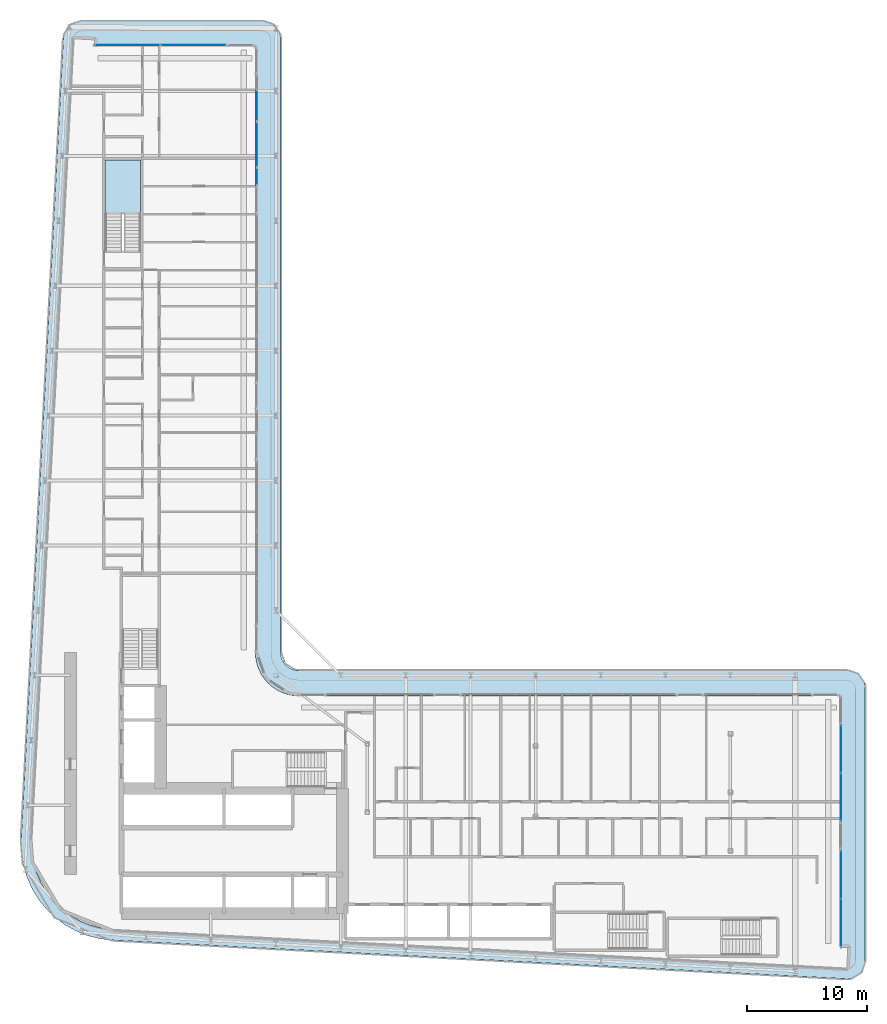
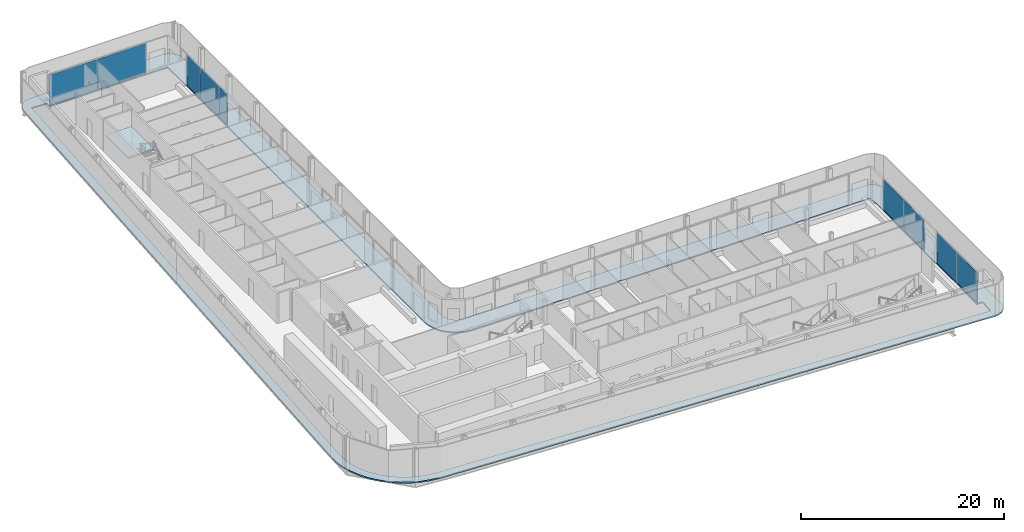
# One storey, part 11 of 28: 9 plates, 2 slabs, 6 elements without a shape of their own.
"""IFC4 building model written with IfcOpenShell, lengths in metres."""

import ifcopenshell
import ifcopenshell.guid

model = None  # the IFC model being written
_history = None  # IfcOwnerHistory: only IFC2X3 demands one
_inside = {}  # id of a spatial element -> (the spatial element, [elements in it])
_under = {}  # id of a project, library or spatial element -> (it, [spatial elements below it])
_declared = {}  # id of a project -> (the project, [libraries it declares])
_typed = {}  # id of a type object -> (the type object, [elements of that type])
_made_of = {}  # id of a material, layer set ... -> (it, [elements and type objects made of it])


def new_model(schema):
    """Start an empty IFC model of exactly this schema.

    Asked for "IFC4X3", IfcOpenShell would pick the latest addendum, in which some entities
    have other attributes; the version numbers below select the first issue.
    IFC2X3 requires an IfcOwnerHistory on every rooted entity: one is made here for all.
    """
    global model, _history
    if schema == "IFC4X3":
        model = ifcopenshell.file(schema_version=(4, 3, 0, 0))
    else:
        model = ifcopenshell.file(schema=schema)
    _inside.clear()
    _under.clear()
    _declared.clear()
    _typed.clear()
    _made_of.clear()
    _history = None
    if model.schema == "IFC2X3":
        org = make("IfcOrganization", Name="unknown")
        user = make(
            "IfcPersonAndOrganization",
            ThePerson=make("IfcPerson", FamilyName="unknown"),
            TheOrganization=org,
        )
        app = make(
            "IfcApplication",
            ApplicationDeveloper=org,
            Version="unknown",
            ApplicationFullName="unknown",
            ApplicationIdentifier="unknown",
        )
        _history = make(
            "IfcOwnerHistory",
            OwningUser=user,
            OwningApplication=app,
            ChangeAction="ADDED",
            CreationDate=0,
        )
    return model


def make(cls, **values):
    """One entity of the class cls with the attributes given. An attribute that is None is left unset."""
    return model.create_entity(
        cls, **{name: value for name, value in values.items() if value is not None}
    )


def rooted(cls, **values):
    """An entity with a GlobalId (a new one), such as an element, a storey or a relation."""
    return make(cls, GlobalId=ifcopenshell.guid.new(), OwnerHistory=_history, **values)


def si_unit(unit_type, name, prefix=None):
    """IfcSIUnit, for example si_unit("LENGTHUNIT", "METRE", prefix="MILLI")."""
    return make("IfcSIUnit", UnitType=unit_type, Prefix=prefix, Name=name)


def assignment(units):
    """IfcUnitAssignment: the units of a project."""
    return None if units is None else make("IfcUnitAssignment", Units=units)


def point(xyz):
    """IfcCartesianPoint."""
    return None if xyz is None else make("IfcCartesianPoint", Coordinates=xyz)


def direction(xyz):
    """IfcDirection."""
    return None if xyz is None else make("IfcDirection", DirectionRatios=xyz)


def frame(location, z_axis=None, x_axis=None):
    """IfcAxis2Placement3D, a coordinate frame: its origin and axes. An axis left out is left unset."""
    return make(
        "IfcAxis2Placement3D",
        Location=point(location),
        Axis=direction(z_axis),
        RefDirection=direction(x_axis),
    )


def frame_2d(location, x_axis=None):
    """IfcAxis2Placement2D, a coordinate frame in the plane: its origin and x axis."""
    return make(
        "IfcAxis2Placement2D", Location=point(location), RefDirection=direction(x_axis)
    )


def origin():
    """The frame at (0, 0, 0) with its axes left unset."""
    return frame((0.0, 0.0, 0.0))


def origin_2d():
    """The frame at (0, 0) in the plane with its x axis left unset."""
    return frame_2d((0.0, 0.0))


def place(relative_to, where):
    """IfcLocalPlacement: puts the frame where relative to a parent placement (None: the world)."""
    return make(
        "IfcLocalPlacement", PlacementRelTo=relative_to, RelativePlacement=where
    )


def context(
    kind, dimensions, precision=None, world=None, true_north=None, identifier=None
):
    """IfcGeometricRepresentationContext, for example the 3D "Model" context."""
    return make(
        "IfcGeometricRepresentationContext",
        ContextIdentifier=identifier,
        ContextType=kind,
        CoordinateSpaceDimension=dimensions,
        Precision=precision,
        WorldCoordinateSystem=world,
        TrueNorth=true_north,
    )


def subcontext(parent, identifier, kind, view, scale=None):
    """IfcGeometricRepresentationSubContext, for example "Body" below "Model"."""
    return make(
        "IfcGeometricRepresentationSubContext",
        ContextIdentifier=identifier,
        ContextType=kind,
        ParentContext=parent,
        TargetScale=scale,
        TargetView=view,
    )


def project(units=None, contexts=None):
    """IfcProject with its units and contexts."""
    return rooted(
        "IfcProject",
        Name="project",
        RepresentationContexts=contexts,
        UnitsInContext=assignment(units),
    )


def spatial(cls, under=None, at=None, **own):
    """A site, building, storey or space (cls), placed at a placement, below another one or the project."""
    s = rooted(cls, ObjectPlacement=at, **own)
    if under is not None:
        _under.setdefault(under.id(), (under, []))[1].append(s)
    return s


def polyline(points):
    """IfcPolyline through the points."""
    return make("IfcPolyline", Points=[point(p) for p in points])


def profile(cls, at=None, kind="AREA", **sizes):
    """A parametric profile (cls). Its sizes go by their IFC names, for example OverallWidth=200.0."""
    return make(cls, ProfileType=kind, Position=at, **sizes)


def rectangle(**sizes):
    """IfcRectangleProfileDef."""
    return profile("IfcRectangleProfileDef", **sizes)


def outline(outer, holes=None, kind="AREA"):
    """IfcArbitraryClosedProfileDef: a profile drawn as a closed curve; with holes, ...WithVoids."""
    if holes is None:
        return make("IfcArbitraryClosedProfileDef", ProfileType=kind, OuterCurve=outer)
    return make(
        "IfcArbitraryProfileDefWithVoids",
        ProfileType=kind,
        OuterCurve=outer,
        InnerCurves=holes,
    )


def extrude(swept, where, along, depth):
    """IfcExtrudedAreaSolid: the profile swept, set in the frame where, extruded along a direction by depth."""
    return make(
        "IfcExtrudedAreaSolid",
        SweptArea=swept,
        Position=where,
        ExtrudedDirection=direction(along),
        Depth=depth,
    )


def shape(context_of_items, identifier, shape_type, items):
    """IfcShapeRepresentation: the items that make up one representation, for example the "Body"."""
    return make(
        "IfcShapeRepresentation",
        ContextOfItems=context_of_items,
        RepresentationIdentifier=identifier,
        RepresentationType=shape_type,
        Items=items,
    )


def material(Name=None, Category=None):
    """IfcMaterial."""
    return make("IfcMaterial", Name=Name, Category=Category)


def layer(
    of_material, thickness, ventilated=None, Name=None, Category=None, Priority=None
):
    """IfcMaterialLayer: one layer of a wall or slab, of a material (None: an air gap)."""
    return make(
        "IfcMaterialLayer",
        Material=of_material,
        LayerThickness=thickness,
        IsVentilated=ventilated,
        Name=Name,
        Category=Category,
        Priority=Priority,
    )


def layer_set(layers, Name=None):
    """IfcMaterialLayerSet."""
    return make("IfcMaterialLayerSet", MaterialLayers=layers, LayerSetName=Name)


def made_of(thing, what):
    """Note that an element or type object is made of a material, layer set ...; save() writes the relation."""
    if what is not None:
        _made_of.setdefault(what.id(), (what, []))[1].append(thing)
    return thing


def type_object(cls, material=None, **own):
    """A type object (cls), such as IfcWallType, which elements share."""
    return made_of(rooted(cls, **own), material)


def element(
    cls,
    number,
    at=None,
    inside=None,
    cuts=None,
    type_object=None,
    material=None,
    context=None,
    identifier="Body",
    shape_type=None,
    held_by="IfcProductDefinitionShape",
    body=None,
    shapes=None,
    **own,
):
    """One element of the class cls, such as IfcWall. Its Tag is "e" and its number.

    at: its placement. inside: the storey or other place that contains it. cuts: it is an
    opening in that element (IfcRelVoidsElement). A single representation is given by context,
    identifier, shape_type and body (its items); several are given by shapes. held_by: the class
    of the entity that holds the representations. save() writes the other relations.
    """
    e = rooted(cls, Tag="e%d" % number, ObjectPlacement=at, **own)
    if body is not None:
        shapes = [shape(context, identifier, shape_type, body)]
    if shapes is not None:
        e.Representation = make(held_by, Representations=shapes)
    if inside is not None:
        _inside.setdefault(inside.id(), (inside, []))[1].append(e)
    if cuts is not None:
        rooted(
            "IfcRelVoidsElement", RelatingBuildingElement=cuts, RelatedOpeningElement=e
        )
    if type_object is not None:
        _typed.setdefault(type_object.id(), (type_object, []))[1].append(e)
    return made_of(e, material)


def aggregate(whole, parts):
    """IfcRelAggregates: a whole, such as a stair, and the parts it consists of."""
    return rooted("IfcRelAggregates", RelatingObject=whole, RelatedObjects=parts)


def save(model, path):
    """Write the relations noted so far, then the file.

    IfcRelAggregates (storeys below a building ...), IfcRelContainedInSpatialStructure (elements
    in a storey), IfcRelDefinesByType, IfcRelAssociatesMaterial and IfcRelDeclares: one each for
    every whole, place, type object, material and project.
    """
    for whole, parts in _under.values():
        aggregate(whole, parts)
    for where, things in _inside.values():
        rooted(
            "IfcRelContainedInSpatialStructure",
            RelatedElements=things,
            RelatingStructure=where,
        )
    for kind, things in _typed.values():
        rooted("IfcRelDefinesByType", RelatedObjects=things, RelatingType=kind)
    for what, things in _made_of.values():
        rooted("IfcRelAssociatesMaterial", RelatedObjects=things, RelatingMaterial=what)
    for by, libraries in _declared.values():
        rooted("IfcRelDeclares", RelatingContext=by, RelatedDefinitions=libraries)
    model.write(path)


model = new_model("IFC4")

# Units and contexts
model_context = context("Model", 3, precision=1e-05, world=origin(), true_north=direction((0.0, 1.0)))
body_context = subcontext(model_context, "Body", "Model", "MODEL_VIEW")
ifc_project = project(units=[si_unit("LENGTHUNIT", "METRE"), si_unit("AREAUNIT", "SQUARE_METRE"), si_unit("VOLUMEUNIT", "CUBIC_METRE"), si_unit("PLANEANGLEUNIT", "RADIAN"), si_unit("MASSUNIT", "GRAM", prefix="KILO")], contexts=[model_context])

# Site, building, storey
site_placement = place(None, origin())
site = spatial("IfcSite", under=ifc_project, at=site_placement, CompositionType="ELEMENT")
building_placement = place(site_placement, origin())
building = spatial("IfcBuilding", under=site, at=building_placement, Name="Kheshtan School and Residences Tower", CompositionType="ELEMENT")
storey_placement = place(building_placement, frame((0.0, 0.0, 42.199951171875)))
storey = spatial("IfcBuildingStorey", under=building, at=storey_placement, Name="L09", CompositionType="ELEMENT", Elevation=42.199951171875)

# Curtain wall, plates
ifc_material_1 = material(Name="Clear low-e glass in thermally broken aluminium frame", Category="aluminium")
ifc_layer_1 = layer(ifc_material_1, 0.199951171875)
ifc_layer_set_1 = layer_set([ifc_layer_1], Name="Curtain wall CW-L")
curtain_wall_type = type_object("IfcCurtainWallType", Name="Curtain wall CW-L", PredefinedType="NOTDEFINED", material=ifc_layer_set_1)
curtain_wall_1_placement = place(storey_placement, origin())
curtain_wall_1 = element("IfcCurtainWall", 1, at=curtain_wall_1_placement, inside=storey, type_object=curtain_wall_type, Name="Curtain wall CWL7", PredefinedType="NOTDEFINED")
ifc_layer_2 = layer(ifc_material_1, 0.031982421875)
ifc_layer_set_2 = layer_set([ifc_layer_2], Name="CW-L glass panel")
plate_type = type_object("IfcPlateType", Name="CW-L glass panel", PredefinedType="CURTAIN_PANEL", material=ifc_layer_set_2)
plate_1_placement = place(storey_placement, frame((35.259033203125, 98.0, 0.0), z_axis=(0.0, 0.0, 1.0), x_axis=(1.0, 0.0, 0.0)))
plate_1 = element("IfcPlate", 2, at=plate_1_placement, type_object=plate_type, Name="CWL7 panel 1.1", PredefinedType="CURTAIN_PANEL", context=body_context, shape_type="SweptSolid", body=[
    extrude(rectangle(XDim=5.4140625, YDim=0.031982421875, at=origin_2d()), origin(), (0.0, 0.0, 1.0), 3.6298828125),
])
plate_2_placement = place(storey_placement, frame((40.73291015625, 98.0, 0.0), z_axis=(0.0, 0.0, 1.0), x_axis=(1.0, 0.0, 0.0)))
plate_2 = element("IfcPlate", 3, at=plate_2_placement, type_object=plate_type, Name="CWL7 panel 2.1", PredefinedType="CURTAIN_PANEL", context=body_context, shape_type="SweptSolid", body=[
    extrude(rectangle(XDim=5.4140625, YDim=0.031982421875, at=origin_2d()), origin(), (0.0, 0.0, 1.0), 3.6298828125),
])
aggregate(curtain_wall_1, [plate_1, plate_2])

curtain_wall_2_placement = place(storey_placement, origin())
curtain_wall_2 = element("IfcCurtainWall", 4, at=curtain_wall_2_placement, inside=storey, type_object=curtain_wall_type, Name="Curtain wall CWL8c", PredefinedType="NOTDEFINED")
plate_3_placement = place(storey_placement, frame((46.0, 92.9765625, 0.0), z_axis=(0.0, 0.0, 1.0), x_axis=(0.0, -1.0, 0.0)))
plate_3 = element("IfcPlate", 5, at=plate_3_placement, type_object=plate_type, Name="CWL8c panel 2.1", PredefinedType="CURTAIN_PANEL", context=body_context, shape_type="SweptSolid", body=[
    extrude(rectangle(XDim=2.5869140625, YDim=0.031982421875, at=origin_2d()), origin(), (0.0, 0.0, 1.0), 3.6298828125),
])
plate_4_placement = place(storey_placement, frame((46.0, 89.744384765625, 0.0), z_axis=(0.0, 0.0, 1.0), x_axis=(0.0, -1.0, 0.0)))
plate_4 = element("IfcPlate", 6, at=plate_4_placement, type_object=plate_type, Name="CWL8c panel 3.1", PredefinedType="CURTAIN_PANEL", context=body_context, shape_type="SweptSolid", body=[
    extrude(rectangle(XDim=3.757080078125, YDim=0.031982421875, at=origin_2d()), origin(), (0.0, 0.0, 1.0), 3.6298828125),
])
aggregate(curtain_wall_2, [plate_3, plate_4])

# Curtain wall, plate
curtain_wall_3_placement = place(storey_placement, origin())
curtain_wall_3 = element("IfcCurtainWall", 7, at=curtain_wall_3_placement, inside=storey, type_object=curtain_wall_type, Name="Curtain wall CWL8a", PredefinedType="NOTDEFINED")
plate_5_placement = place(storey_placement, frame((46.0, 87.0859375, 0.0), z_axis=(0.0, 0.0, 1.0), x_axis=(0.0, -1.0, 0.0)))
plate_5 = element("IfcPlate", 8, at=plate_5_placement, type_object=plate_type, Name="CWL8a panel 1.1", PredefinedType="CURTAIN_PANEL", context=body_context, shape_type="SweptSolid", body=[
    extrude(rectangle(XDim=1.43994140625, YDim=0.031982421875, at=origin_2d()), origin(), (0.0, 0.0, 1.0), 3.6298828125),
])
aggregate(curtain_wall_3, [plate_5])

# Curtain wall, plates
curtain_wall_4_placement = place(storey_placement, origin())
curtain_wall_4 = element("IfcCurtainWall", 9, at=curtain_wall_4_placement, inside=storey, type_object=curtain_wall_type, Name="Curtain wall CWL13a", PredefinedType="NOTDEFINED")
plate_6_placement = place(storey_placement, frame((94.60009765625, 39.47216796875, 0.0), z_axis=(0.0, 0.0, 1.0), x_axis=(0.0, -1.0, 0.0)))
plate_6 = element("IfcPlate", 10, at=plate_6_placement, type_object=plate_type, Name="CWL13a panel 1.1", PredefinedType="CURTAIN_PANEL", context=body_context, shape_type="SweptSolid", body=[
    extrude(rectangle(XDim=3.935546875, YDim=0.031982421875, at=origin_2d()), origin(), (0.0, 0.0, 1.0), 3.6298828125),
])
plate_7_placement = place(storey_placement, frame((94.60009765625, 35.476806640625, 0.0), z_axis=(0.0, 0.0, 1.0), x_axis=(0.0, -1.0, 0.0)))
plate_7 = element("IfcPlate", 11, at=plate_7_placement, type_object=plate_type, Name="CWL13a panel 2.1", PredefinedType="CURTAIN_PANEL", context=body_context, shape_type="SweptSolid", body=[
    extrude(rectangle(XDim=3.935546875, YDim=0.031982421875, at=origin_2d()), origin(), (0.0, 0.0, 1.0), 3.6298828125),
])
aggregate(curtain_wall_4, [plate_6, plate_7])

curtain_wall_5_placement = place(storey_placement, origin())
curtain_wall_5 = element("IfcCurtainWall", 12, at=curtain_wall_5_placement, inside=storey, type_object=curtain_wall_type, Name="Curtain wall CWL13a", PredefinedType="NOTDEFINED")
plate_8_placement = place(storey_placement, frame((94.60009765625, 29.021240234375, 0.0), z_axis=(0.0, 0.0, 1.0), x_axis=(0.0, -1.0, 0.0)))
plate_8 = element("IfcPlate", 13, at=plate_8_placement, type_object=plate_type, Name="CWL13a panel 1.1", PredefinedType="CURTAIN_PANEL", context=body_context, shape_type="SweptSolid", body=[
    extrude(rectangle(XDim=3.935546875, YDim=0.031982421875, at=origin_2d()), origin(), (0.0, 0.0, 1.0), 3.6298828125),
])
plate_9_placement = place(storey_placement, frame((94.60009765625, 25.025634765625, 0.0), z_axis=(0.0, 0.0, 1.0), x_axis=(0.0, -1.0, 0.0)))
plate_9 = element("IfcPlate", 14, at=plate_9_placement, type_object=plate_type, Name="CWL13a panel 2.1", PredefinedType="CURTAIN_PANEL", context=body_context, shape_type="SweptSolid", body=[
    extrude(rectangle(XDim=3.935546875, YDim=0.031982421875, at=origin_2d()), origin(), (0.0, 0.0, 1.0), 3.6298828125),
])
aggregate(curtain_wall_5, [plate_8, plate_9])

# Slab
ifc_material_2 = material(Name="Concrete C40/50", Category="concrete")
ifc_layer_3 = layer(ifc_material_2, 0.14990234375)
ifc_layer_set_3 = layer_set([ifc_layer_3], Name="Loggia balcony slab 150 Concrete C40/50")
slab_type_1 = type_object("IfcSlabType", Name="Loggia balcony slab 150 Concrete C40/50", PredefinedType="FLOOR", material=ifc_layer_set_3)
slab_1_placement = place(storey_placement, frame((0.0, 0.0, -0.14990234375)))
element("IfcSlab", 15, at=slab_1_placement, inside=storey, type_object=slab_type_1, Name="Loggia balcony slab L09", PredefinedType="FLOOR", context=body_context, shape_type="SweptSolid", body=[
    extrude(outline(polyline([(28.4580078125, 26.222900390625), (28.45703125, 26.222900390625), (28.45703125, 26.22412109375), (28.4560546875, 26.22412109375), (27.81494140625, 27.0390625), (27.281005859375, 27.93798828125), (26.867919921875, 28.89990234375), (26.583984375, 29.89990234375), (26.583984375, 29.906982421875), (26.43408203125, 30.943115234375), (26.419921875, 31.989013671875), (29.925048828125, 98.5791015625), (29.930908203125, 98.626953125), (29.930908203125, 98.6279296875), (29.929931640625, 98.6279296875), (29.929931640625, 98.62890625), (29.928955078125, 98.62890625), (29.928955078125, 98.6298828125), (29.927978515625, 98.6298828125), (29.927978515625, 98.631103515625), (29.927001953125, 98.631103515625), (29.927001953125, 98.632080078125), (29.927001953125, 98.633056640625), (29.945068359375, 98.781005859375), (29.945068359375, 98.783935546875), (29.945068359375, 98.784912109375), (29.946044921875, 98.784912109375), (29.946044921875, 98.785888671875), (29.947021484375, 98.785888671875), (29.947021484375, 98.787109375), (29.947998046875, 98.787109375), (29.948974609375, 98.787109375), (29.948974609375, 98.7880859375), (29.949951171875, 98.7880859375), (29.949951171875, 98.7890625), (29.949951171875, 98.791015625), (30.0029296875, 98.98388671875), (30.083984375, 99.175048828125), (30.18896484375, 99.35302734375), (30.31103515625, 99.507080078125), (30.31201171875, 99.507080078125), (30.31201171875, 99.508056640625), (30.31298828125, 99.508056640625), (30.31298828125, 99.509033203125), (30.31396484375, 99.509033203125), (30.31396484375, 99.510009765625), (30.31494140625, 99.510009765625), (30.31494140625, 99.510986328125), (30.31591796875, 99.510986328125), (30.31591796875, 99.511962890625), (30.31689453125, 99.511962890625), (30.31689453125, 99.512939453125), (30.318115234375, 99.512939453125), (30.320068359375, 99.512939453125), (30.321044921875, 99.512939453125), (30.321044921875, 99.513916015625), (30.468017578125, 99.656982421875), (30.468994140625, 99.656982421875), (30.468994140625, 99.657958984375), (30.469970703125, 99.657958984375), (30.469970703125, 99.658935546875), (30.470947265625, 99.658935546875), (30.470947265625, 99.659912109375), (30.471923828125, 99.659912109375), (30.471923828125, 99.660888671875), (30.472900390625, 99.660888671875), (30.472900390625, 99.662109375), (30.47412109375, 99.662109375), (30.47412109375, 99.6630859375), (30.47509765625, 99.6630859375), (30.47509765625, 99.6640625), (30.635986328125, 99.777099609375), (30.820068359375, 99.873046875), (31.007080078125, 99.943115234375), (31.013916015625, 99.943115234375), (31.217041015625, 99.986083984375), (31.423095703125, 100.0), (46.5, 100.0), (46.696044921875, 99.987060546875), (46.887939453125, 99.948974609375), (46.89501953125, 99.948974609375), (47.073974609375, 99.885986328125), (47.242919921875, 99.801025390625), (47.243896484375, 99.801025390625), (47.2470703125, 99.801025390625), (47.248046875, 99.801025390625), (47.248046875, 99.802001953125), (47.2490234375, 99.802001953125), (47.2490234375, 99.802978515625), (47.25, 99.802978515625), (47.2529296875, 99.802978515625), (47.25390625, 99.802978515625), (47.25390625, 99.802001953125), (47.2548828125, 99.802001953125), (47.2548828125, 99.801025390625), (47.256103515625, 99.801025390625), (47.256103515625, 99.800048828125), (47.257080078125, 99.800048828125), (47.257080078125, 99.799072265625), (47.258056640625, 99.799072265625), (47.258056640625, 99.798095703125), (47.412109375, 99.696044921875), (47.4130859375, 99.696044921875), (47.4130859375, 99.695068359375), (47.4140625, 99.695068359375), (47.4140625, 99.694091796875), (47.4140625, 99.68994140625), (47.4140625, 99.68896484375), (47.4150390625, 99.68896484375), (47.4150390625, 99.68798828125), (47.416015625, 99.68798828125), (47.416015625, 99.68701171875), (47.4169921875, 99.68701171875), (47.4169921875, 99.68603515625), (47.554931640625, 99.568115234375), (47.554931640625, 99.56689453125), (47.555908203125, 99.56689453125), (47.555908203125, 99.56591796875), (47.556884765625, 99.56591796875), (47.556884765625, 99.56494140625), (47.55810546875, 99.56494140625), (47.55810546875, 99.56396484375), (47.55908203125, 99.56396484375), (47.55908203125, 99.56298828125), (47.56005859375, 99.56298828125), (47.56005859375, 99.56201171875), (47.56103515625, 99.56201171875), (47.56201171875, 99.56103515625), (47.56201171875, 99.56005859375), (47.56298828125, 99.56005859375), (47.56298828125, 99.55908203125), (47.56396484375, 99.55908203125), (47.56396484375, 99.55810546875), (47.56494140625, 99.55810546875), (47.56494140625, 99.556884765625), (47.56591796875, 99.556884765625), (47.56591796875, 99.555908203125), (47.56689453125, 99.555908203125), (47.56689453125, 99.554931640625), (47.568115234375, 99.554931640625), (47.68505859375, 99.41796875), (47.68603515625, 99.41796875), (47.68603515625, 99.4169921875), (47.68701171875, 99.4169921875), (47.68701171875, 99.416015625), (47.68798828125, 99.416015625), (47.68798828125, 99.4150390625), (47.68896484375, 99.4150390625), (47.68896484375, 99.4140625), (47.68994140625, 99.4140625), (47.694091796875, 99.4140625), (47.695068359375, 99.4140625), (47.695068359375, 99.4130859375), (47.696044921875, 99.4130859375), (47.696044921875, 99.412109375), (47.797119140625, 99.259033203125), (47.798095703125, 99.259033203125), (47.798095703125, 99.258056640625), (47.799072265625, 99.258056640625), (47.799072265625, 99.257080078125), (47.800048828125, 99.257080078125), (47.800048828125, 99.256103515625), (47.801025390625, 99.256103515625), (47.801025390625, 99.2548828125), (47.802001953125, 99.2548828125), (47.802001953125, 99.25390625), (47.802978515625, 99.25390625), (47.802978515625, 99.2529296875), (47.802978515625, 99.25), (47.802978515625, 99.2490234375), (47.802001953125, 99.2490234375), (47.802001953125, 99.248046875), (47.801025390625, 99.248046875), (47.801025390625, 99.2470703125), (47.801025390625, 99.243896484375), (47.801025390625, 99.242919921875), (47.885986328125, 99.073974609375), (47.948974609375, 98.89501953125), (47.948974609375, 98.887939453125), (47.987060546875, 98.696044921875), (48.0, 98.5), (48.0, 47.5), (48.012939453125, 47.303955078125), (48.051025390625, 47.113037109375), (48.051025390625, 47.10693359375), (48.051025390625, 47.10595703125), (48.114013671875, 46.926025390625), (48.200927734375, 46.75), (48.31005859375, 46.5869140625), (48.431884765625, 46.444091796875), (48.43310546875, 46.444091796875), (48.43310546875, 46.443115234375), (48.43408203125, 46.443115234375), (48.43408203125, 46.44189453125), (48.43505859375, 46.44189453125), (48.43505859375, 46.44091796875), (48.43603515625, 46.44091796875), (48.43603515625, 46.43994140625), (48.43701171875, 46.43994140625), (48.43701171875, 46.43896484375), (48.43798828125, 46.43896484375), (48.43896484375, 46.43798828125), (48.43896484375, 46.43701171875), (48.43994140625, 46.43701171875), (48.43994140625, 46.43603515625), (48.44091796875, 46.43603515625), (48.44091796875, 46.43505859375), (48.44189453125, 46.43505859375), (48.44189453125, 46.43408203125), (48.443115234375, 46.43408203125), (48.443115234375, 46.43310546875), (48.444091796875, 46.43310546875), (48.444091796875, 46.431884765625), (48.5869140625, 46.31005859375), (48.75, 46.200927734375), (48.926025390625, 46.114013671875), (49.10595703125, 46.051025390625), (49.10693359375, 46.051025390625), (49.113037109375, 46.051025390625), (49.303955078125, 46.012939453125), (49.5, 46.0), (95.10009765625, 46.0), (95.2958984375, 45.987060546875), (95.488037109375, 45.948974609375), (95.4951171875, 45.948974609375), (95.674072265625, 45.885986328125), (95.842041015625, 45.801025390625), (95.843017578125, 45.801025390625), (95.846923828125, 45.801025390625), (95.847900390625, 45.801025390625), (95.847900390625, 45.802001953125), (95.84912109375, 45.802001953125), (95.84912109375, 45.802978515625), (95.85009765625, 45.802978515625), (95.85302734375, 45.802978515625), (95.85400390625, 45.802978515625), (95.85400390625, 45.802001953125), (95.85498046875, 45.802001953125), (95.85498046875, 45.801025390625), (95.85595703125, 45.801025390625), (95.85595703125, 45.800048828125), (95.85693359375, 45.800048828125), (95.85693359375, 45.799072265625), (95.85791015625, 45.799072265625), (95.85791015625, 45.798095703125), (95.85888671875, 45.798095703125), (95.85888671875, 45.797119140625), (95.860107421875, 45.797119140625), (95.860107421875, 45.7958984375), (96.011962890625, 45.696044921875), (96.012939453125, 45.696044921875), (96.012939453125, 45.695068359375), (96.013916015625, 45.695068359375), (96.013916015625, 45.694091796875), (96.013916015625, 45.68994140625), (96.013916015625, 45.68896484375), (96.014892578125, 45.68896484375), (96.014892578125, 45.68798828125), (96.01611328125, 45.68798828125), (96.01611328125, 45.68701171875), (96.01708984375, 45.68701171875), (96.01708984375, 45.68603515625), (96.01806640625, 45.68603515625), (96.01806640625, 45.68505859375), (96.01904296875, 45.68505859375), (96.01904296875, 45.68408203125), (96.155029296875, 45.568115234375), (96.155029296875, 45.56689453125), (96.156005859375, 45.56689453125), (96.156005859375, 45.56591796875), (96.156982421875, 45.56591796875), (96.156982421875, 45.56494140625), (96.157958984375, 45.56494140625), (96.157958984375, 45.56396484375), (96.158935546875, 45.56396484375), (96.158935546875, 45.56298828125), (96.159912109375, 45.56298828125), (96.159912109375, 45.56201171875), (96.160888671875, 45.56201171875), (96.162109375, 45.56103515625), (96.162109375, 45.56005859375), (96.1630859375, 45.56005859375), (96.1630859375, 45.55908203125), (96.1640625, 45.55908203125), (96.1640625, 45.55810546875), (96.1650390625, 45.55810546875), (96.1650390625, 45.556884765625), (96.166015625, 45.556884765625), (96.166015625, 45.555908203125), (96.1669921875, 45.555908203125), (96.1669921875, 45.554931640625), (96.16796875, 45.554931640625), (96.281982421875, 45.4208984375), (96.282958984375, 45.4208984375), (96.282958984375, 45.419921875), (96.283935546875, 45.419921875), (96.283935546875, 45.4189453125), (96.284912109375, 45.4189453125), (96.284912109375, 45.41796875), (96.285888671875, 45.41796875), (96.285888671875, 45.4169921875), (96.287109375, 45.4169921875), (96.287109375, 45.416015625), (96.2880859375, 45.416015625), (96.2880859375, 45.4150390625), (96.2890625, 45.4150390625), (96.2890625, 45.4140625), (96.2900390625, 45.4140625), (96.2939453125, 45.4140625), (96.294921875, 45.4140625), (96.294921875, 45.4130859375), (96.2958984375, 45.4130859375), (96.2958984375, 45.412109375), (96.39404296875, 45.261962890625), (96.39501953125, 45.261962890625), (96.39501953125, 45.260986328125), (96.39599609375, 45.260986328125), (96.39599609375, 45.260009765625), (96.39697265625, 45.260009765625), (96.39697265625, 45.259033203125), (96.39794921875, 45.259033203125), (96.39794921875, 45.258056640625), (96.39892578125, 45.258056640625), (96.39892578125, 45.257080078125), (96.39990234375, 45.257080078125), (96.39990234375, 45.256103515625), (96.40087890625, 45.256103515625), (96.40087890625, 45.2548828125), (96.402099609375, 45.2548828125), (96.402099609375, 45.25390625), (96.403076171875, 45.25390625), (96.403076171875, 45.2529296875), (96.403076171875, 45.25), (96.403076171875, 45.2490234375), (96.402099609375, 45.2490234375), (96.402099609375, 45.248046875), (96.40087890625, 45.248046875), (96.40087890625, 45.2470703125), (96.40087890625, 45.240966796875), (96.40087890625, 45.239990234375), (96.486083984375, 45.073974609375), (96.549072265625, 44.89501953125), (96.549072265625, 44.887939453125), (96.5869140625, 44.696044921875), (96.60009765625, 44.5), (96.60009765625, 21.864990234375), (96.5859375, 21.6630859375), (96.544921875, 21.464111328125), (96.544921875, 21.45703125), (96.47802734375, 21.27294921875), (96.385986328125, 21.093017578125), (96.27099609375, 20.927001953125), (96.27099609375, 20.926025390625), (96.27099609375, 20.925048828125), (96.27099609375, 20.924072265625), (96.27197265625, 20.924072265625), (96.27197265625, 20.923095703125), (96.27197265625, 20.9208984375), (96.27197265625, 20.919921875), (96.27099609375, 20.919921875), (96.27099609375, 20.9189453125), (96.137939453125, 20.77587890625), (96.135009765625, 20.77294921875), (96.134033203125, 20.77294921875), (96.134033203125, 20.77197265625), (96.133056640625, 20.77197265625), (96.131103515625, 20.77197265625), (96.1298828125, 20.77197265625), (96.1298828125, 20.77294921875), (96.12890625, 20.77294921875), (96.1279296875, 20.77294921875), (96.126953125, 20.77294921875), (95.97607421875, 20.64794921875), (95.803955078125, 20.541015625), (95.618896484375, 20.4580078125), (95.430908203125, 20.40087890625), (95.424072265625, 20.40087890625), (95.22412109375, 20.3701171875), (95.02099609375, 20.366943359375), (33.989013671875, 23.580078125), (33.94189453125, 23.5859375), (33.94091796875, 23.5859375), (33.93994140625, 23.5859375), (33.93994140625, 23.5849609375), (33.93896484375, 23.5849609375), (33.93896484375, 23.583984375), (33.93798828125, 23.583984375), (33.93798828125, 23.5830078125), (33.93701171875, 23.5830078125), (33.93701171875, 23.58203125), (33.93603515625, 23.58203125), (33.93505859375, 23.58203125), (32.952880859375, 23.697998046875), (32.949951171875, 23.697998046875), (32.948974609375, 23.697998046875), (32.948974609375, 23.698974609375), (32.947998046875, 23.698974609375), (32.947998046875, 23.699951171875), (32.947021484375, 23.699951171875), (32.947021484375, 23.700927734375), (32.947021484375, 23.702880859375), (32.947021484375, 23.7041015625), (32.946044921875, 23.7041015625), (32.946044921875, 23.705078125), (32.945068359375, 23.705078125), (32.944091796875, 23.705078125), (31.93603515625, 23.9609375), (31.928955078125, 23.9609375), (30.964111328125, 24.34912109375), (30.051025390625, 24.860107421875), (29.218994140625, 25.47900390625), (29.218994140625, 25.47998046875), (29.218017578125, 25.47998046875), (29.218017578125, 25.48095703125), (29.217041015625, 25.48095703125), (29.217041015625, 25.48193359375), (29.216064453125, 25.48193359375), (29.216064453125, 25.48291015625), (29.215087890625, 25.48291015625), (29.215087890625, 25.48388671875), (29.214111328125, 25.48388671875), (29.214111328125, 25.485107421875), (29.212890625, 25.485107421875), (29.212890625, 25.486083984375), (29.2119140625, 25.486083984375), (28.466064453125, 26.217041015625), (28.466064453125, 26.218017578125), (28.465087890625, 26.218017578125), (28.462890625, 26.218017578125), (28.4619140625, 26.218017578125), (28.4619140625, 26.218994140625), (28.4609375, 26.218994140625), (28.4609375, 26.219970703125), (28.4599609375, 26.219970703125), (28.4599609375, 26.220947265625), (28.458984375, 26.220947265625), (28.458984375, 26.221923828125), (28.4580078125, 26.221923828125), (28.4580078125, 26.222900390625)]), holes=[polyline([(29.12890625, 26.824951171875), (29.12890625, 26.823974609375), (29.1298828125, 26.823974609375), (29.1298828125, 26.822998046875), (29.131103515625, 26.822998046875), (29.131103515625, 26.822021484375), (29.132080078125, 26.822021484375), (29.132080078125, 26.821044921875), (29.133056640625, 26.821044921875), (29.133056640625, 26.820068359375), (29.134033203125, 26.820068359375), (29.794921875, 26.173095703125), (29.794921875, 26.172119140625), (29.7958984375, 26.172119140625), (29.798095703125, 26.172119140625), (29.799072265625, 26.172119140625), (29.799072265625, 26.1708984375), (29.800048828125, 26.1708984375), (29.800048828125, 26.169921875), (29.801025390625, 26.169921875), (29.801025390625, 26.1689453125), (29.802001953125, 26.1689453125), (29.802001953125, 26.16796875), (29.802978515625, 26.16796875), (29.802978515625, 26.1669921875), (29.803955078125, 26.1669921875), (29.803955078125, 26.166015625), (30.541015625, 25.616943359375), (31.35205078125, 25.1630859375), (32.208984375, 24.819091796875), (32.2099609375, 24.819091796875), (32.216064453125, 24.819091796875), (33.114990234375, 24.590087890625), (34.06591796875, 24.47705078125), (95.0380859375, 21.26708984375), (95.06494140625, 21.26806640625), (95.06591796875, 21.26806640625), (95.06689453125, 21.26806640625), (95.06689453125, 21.26904296875), (95.068115234375, 21.26904296875), (95.068115234375, 21.27001953125), (95.068115234375, 21.27099609375), (95.157958984375, 22.9599609375), (95.157958984375, 22.9609375), (95.157958984375, 22.9619140625), (95.156982421875, 22.9619140625), (95.156982421875, 22.962890625), (95.156005859375, 22.962890625), (95.155029296875, 22.962890625), (94.5009765625, 22.998046875), (94.5, 22.998046875), (94.5, 22.9990234375), (94.5, 43.89794921875), (94.5, 43.89892578125), (94.4990234375, 43.89892578125), (94.4990234375, 43.89990234375), (94.498046875, 43.89990234375), (49.429931640625, 43.89990234375), (49.030029296875, 43.927001953125), (48.569091796875, 44.01806640625), (48.56201171875, 44.01806640625), (48.1201171875, 44.169921875), (47.697021484375, 44.37890625), (47.30810546875, 44.638916015625), (46.95703125, 44.944091796875), (46.95703125, 44.945068359375), (46.9560546875, 44.945068359375), (46.9560546875, 44.946044921875), (46.955078125, 44.946044921875), (46.955078125, 44.947021484375), (46.9541015625, 44.947021484375), (46.9541015625, 44.947998046875), (46.952880859375, 44.947998046875), (46.952880859375, 44.948974609375), (46.951904296875, 44.948974609375), (46.951904296875, 44.949951171875), (46.951904296875, 44.950927734375), (46.950927734375, 44.950927734375), (46.950927734375, 44.951904296875), (46.949951171875, 44.951904296875), (46.948974609375, 44.951904296875), (46.948974609375, 44.952880859375), (46.947998046875, 44.952880859375), (46.947998046875, 44.9541015625), (46.947021484375, 44.9541015625), (46.947021484375, 44.955078125), (46.946044921875, 44.955078125), (46.946044921875, 44.9560546875), (46.945068359375, 44.9560546875), (46.945068359375, 44.95703125), (46.944091796875, 44.95703125), (46.638916015625, 45.30810546875), (46.37890625, 45.697021484375), (46.169921875, 46.1201171875), (46.01806640625, 46.56201171875), (46.01806640625, 46.569091796875), (45.927001953125, 47.030029296875), (45.89990234375, 47.429931640625), (45.89990234375, 97.89794921875), (45.89990234375, 97.89892578125), (45.89892578125, 97.89892578125), (45.89892578125, 97.89990234375), (45.89794921875, 97.89990234375), (32.492919921875, 97.89990234375), (32.491943359375, 97.89990234375), (32.52099609375, 98.43896484375), (32.52099609375, 98.43994140625), (32.52099609375, 98.44091796875), (32.52001953125, 98.44091796875), (32.52001953125, 98.44189453125), (32.51904296875, 98.44189453125), (32.51806640625, 98.44189453125), (30.8291015625, 98.531982421875), (30.827880859375, 98.531982421875), (30.826904296875, 98.531982421875), (30.826904296875, 98.531005859375), (30.825927734375, 98.531005859375), (30.825927734375, 98.530029296875), (30.825927734375, 98.529052734375), (30.822021484375, 98.5009765625), (27.320068359375, 31.970947265625), (27.3330078125, 31.013916015625), (27.466064453125, 30.093994140625), (27.466064453125, 30.087890625), (27.466064453125, 30.0869140625), (27.718017578125, 29.200927734375), (28.0849609375, 28.345947265625), (28.55908203125, 27.550048828125), (29.126953125, 26.825927734375), (29.1279296875, 26.825927734375), (29.1279296875, 26.824951171875), (29.12890625, 26.824951171875)])]), origin(), (0.0, 0.0, 1.0), 0.14990234375),
])

# Stair, slab
stair_type = type_object("IfcStairType", Name="Exit stair, half-turn", PredefinedType="HALF_TURN_STAIR", material=ifc_material_2)
stair_placement = place(storey_placement, origin())
stair = element("IfcStair", 16, at=stair_placement, inside=storey, type_object=stair_type, Name="L09 Protected Exit Stair ST3", PredefinedType="HALF_TURN_STAIR")
ifc_layer_4 = layer(ifc_material_2, 0.199951171875)
ifc_layer_set_4 = layer_set([ifc_layer_4], Name="Stair landing 200 Concrete C40/50")
slab_type_2 = type_object("IfcSlabType", Name="Stair landing 200 Concrete C40/50", PredefinedType="LANDING", material=ifc_layer_set_4)
slab_2_placement = place(storey_placement, frame((0.0, 0.0, 1.75)))
slab_2 = element("IfcSlab", 17, at=slab_2_placement, type_object=slab_type_2, Name="ST3 landing 1", PredefinedType="LANDING", context=body_context, shape_type="SweptSolid", body=[
    extrude(outline(polyline([(36.35009765625, 83.97998046875), (36.35009765625, 88.4599609375), (33.39990234375, 88.4599609375), (33.39990234375, 83.97998046875), (36.35009765625, 83.97998046875)])), origin(), (0.0, 0.0, 1.0), 0.199951171875),
])
aggregate(stair, [slab_2])

save(model, "model.ifc")
